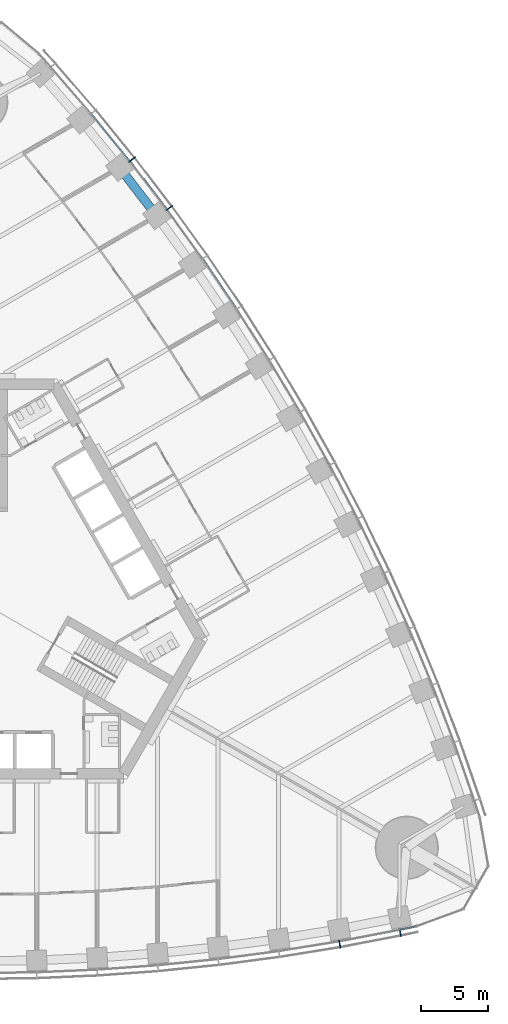
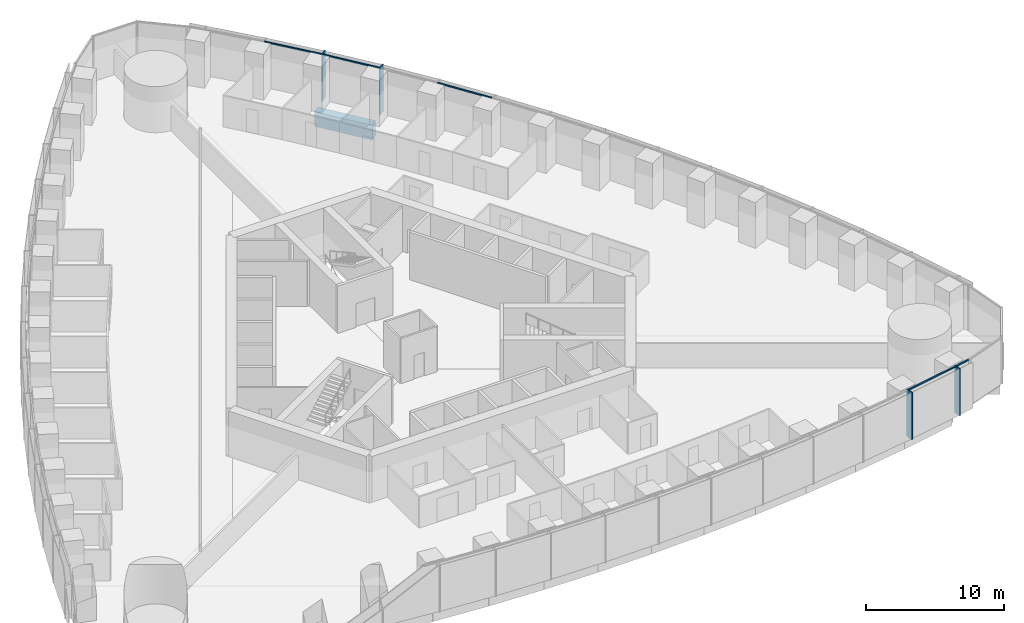
# One storey, part 5 of 18: 9 members, 1 beam, 2 elements without a shape of their own.
"""IFC4 building model written with IfcOpenShell, lengths in metres."""

from ifc_helpers import new_model, si_unit, direction, frame, origin, origin_2d, place, context, subcontext, project, spatial, rectangle, extrude, material, material_profile, profile_set, type_object, element, aggregate, save


model = new_model("IFC4")

# Units and contexts
model_context = context("Model", 3, precision=1e-05, world=origin(), true_north=direction((0.0, 1.0)))
body_context = subcontext(model_context, "Body", "Model", "MODEL_VIEW")
ifc_project = project(units=[si_unit("LENGTHUNIT", "METRE"), si_unit("AREAUNIT", "SQUARE_METRE"), si_unit("VOLUMEUNIT", "CUBIC_METRE"), si_unit("PLANEANGLEUNIT", "RADIAN"), si_unit("MASSUNIT", "GRAM", prefix="KILO")], contexts=[model_context])

# Site, building, storey
site_placement = place(None, origin())
site = spatial("IfcSite", under=ifc_project, at=site_placement, CompositionType="ELEMENT")
building_placement = place(site_placement, origin())
building = spatial("IfcBuilding", under=site, at=building_placement, Name="Trefoil Bronze Tower", CompositionType="ELEMENT")
storey_placement = place(building_placement, frame((0.0, 0.0, 24.89990234375)))
storey = spatial("IfcBuildingStorey", under=building, at=storey_placement, Name="L05", CompositionType="ELEMENT", Elevation=24.89990234375)

# Curtain wall, members
ifc_material_1 = material(Name="Tinted solar-control glass", Category="glass")
curtain_wall_type = type_object("IfcCurtainWallType", Name="Bronze office curtain wall", PredefinedType="USERDEFINED", material=ifc_material_1)
curtain_wall_1_placement = place(storey_placement, origin())
curtain_wall_1 = element("IfcCurtainWall", 1, at=curtain_wall_1_placement, inside=storey, type_object=curtain_wall_type, Name="CW-A L05 F1", ObjectType="CURTAIN WALL", PredefinedType="USERDEFINED")
ifc_material_2 = material(Name="Bronze-finish aluminium", Category="aluminium")
ifc_material_profile_1 = material_profile(ifc_material_2, rectangle(XDim=0.60009765625, YDim=0.080078125, at=origin_2d()), Name="CW-A mullion")
ifc_profile_set_1 = profile_set([ifc_material_profile_1], Name="Bronze-finish aluminium")
member_type_1 = type_object("IfcMemberType", Name="Bronze office curtain wall mullion", PredefinedType="MULLION", material=ifc_profile_set_1)
member_1_placement = place(storey_placement, frame((27.05224609375, -25.67578125, 0.0), z_axis=(0.0, 0.0, 1.0), x_axis=(-0.174131146426, 0.984722470468, 0.0)))
member_1 = element("IfcMember", 2, at=member_1_placement, type_object=member_type_1, Name="CW-A L05 F1 mullion 15", PredefinedType="MULLION", context=body_context, shape_type="SweptSolid", body=[
    extrude(rectangle(XDim=0.60009765625, YDim=0.080078125, at=origin_2d()), origin(), (0.0, 0.0, 1.0), 4.18017578125),
])
member_2_placement = place(storey_placement, frame((31.559326171875, -24.81005859375, 0.0), z_axis=(0.0, 0.0, 1.0), x_axis=(-0.197910006829, 0.98022019424, 0.0)))
member_2 = element("IfcMember", 3, at=member_2_placement, type_object=member_type_1, Name="CW-A L05 F1 mullion 16", PredefinedType="MULLION", context=body_context, shape_type="SweptSolid", body=[
    extrude(rectangle(XDim=0.60009765625, YDim=0.080078125, at=origin_2d()), origin(), (0.0, 0.0, 1.0), 4.18017578125),
])

curtain_wall_2_placement = place(storey_placement, origin())
curtain_wall_2 = element("IfcCurtainWall", 4, at=curtain_wall_2_placement, inside=storey, type_object=curtain_wall_type, Name="CW-A L05 F2", ObjectType="CURTAIN WALL", PredefinedType="USERDEFINED")
member_3_placement = place(storey_placement, frame((14.364013671875, 29.117919921875, 0.0), z_axis=(0.0, 0.0, 1.0), x_axis=(-0.802126748469, -0.59715381552, 0.0)))
member_3 = element("IfcMember", 5, at=member_3_placement, type_object=member_type_1, Name="CW-A L05 F2 mullion 13", PredefinedType="MULLION", context=body_context, shape_type="SweptSolid", body=[
    extrude(rectangle(XDim=0.60009765625, YDim=0.080078125, at=origin_2d()), origin(), (0.0, 0.0, 1.0), 4.18017578125),
])
member_4_placement = place(storey_placement, frame((11.595458984375, 32.7255859375, 0.0), z_axis=(0.0, 0.0, 1.0), x_axis=(-0.784304615744, -0.620375910011, 0.0)))
member_4 = element("IfcMember", 6, at=member_4_placement, type_object=member_type_1, Name="CW-A L05 F2 mullion 14", PredefinedType="MULLION", context=body_context, shape_type="SweptSolid", body=[
    extrude(rectangle(XDim=0.60009765625, YDim=0.080078125, at=origin_2d()), origin(), (0.0, 0.0, 1.0), 4.18017578125),
])

# Member
ifc_material_3 = material(Name="Bronze-finish aluminium", Category="aluminium")
ifc_material_profile_2 = material_profile(ifc_material_3, rectangle(XDim=0.1201171875, YDim=0.10009765625, at=origin_2d()), Name="CW-A transom")
ifc_profile_set_2 = profile_set([ifc_material_profile_2], Name="Bronze-finish aluminium")
member_type_2 = type_object("IfcMemberType", Name="Bronze office curtain wall transom", PredefinedType="USERDEFINED", material=ifc_profile_set_2)
member_5_placement = place(storey_placement, frame((27.05810546875, -25.470947265625, 4.130126953125), z_axis=(0.982053603997, 0.188602011855, 0.0), x_axis=(-0.188602011855, 0.982053603997, 0.0)))
member_5 = element("IfcMember", 7, at=member_5_placement, type_object=member_type_2, Name="CW-A L05 F1 transom 15", ObjectType="TRANSOM", PredefinedType="USERDEFINED", context=body_context, shape_type="SweptSolid", body=[
    extrude(rectangle(XDim=0.1201171875, YDim=0.10009765625, at=origin_2d()), origin(), (0.0, 0.0, 1.0), 4.502197265625),
])

member_6_placement = place(storey_placement, frame((31.559814453125, -24.605712890625, 4.130126953125), z_axis=(0.978266371807, 0.207352129942, 0.0), x_axis=(-0.207352129942, 0.978266371807, 0.0)))
member_6 = element("IfcMember", 8, at=member_6_placement, type_object=member_type_2, Name="CW-A L05 F1 transom 16", ObjectType="TRANSOM", PredefinedType="USERDEFINED", context=body_context, shape_type="SweptSolid", body=[
    extrude(rectangle(XDim=0.1201171875, YDim=0.10009765625, at=origin_2d()), origin(), (0.0, 0.0, 1.0), 1.21044921875),
])

aggregate(curtain_wall_1, [member_1, member_2, member_5, member_6])

member_7_placement = place(storey_placement, frame((19.364990234375, 21.627197265625, 4.130126953125), z_axis=(-0.561508153923, 0.827471203775, 0.0), x_axis=(-0.827471203775, -0.561508153923, 0.0)))
member_7 = element("IfcMember", 9, at=member_7_placement, type_object=member_type_2, Name="CW-A L05 F2 transom 11", ObjectType="TRANSOM", PredefinedType="USERDEFINED", context=body_context, shape_type="SweptSolid", body=[
    extrude(rectangle(XDim=0.1201171875, YDim=0.10009765625, at=origin_2d()), origin(), (0.0, 0.0, 1.0), 4.431884765625),
])

member_8_placement = place(storey_placement, frame((14.178466796875, 29.031494140625, 4.130126953125), z_axis=(-0.608829203216, 0.793301330713, 0.0), x_axis=(-0.793301330713, -0.608829203216, 0.0)))
member_8 = element("IfcMember", 10, at=member_8_placement, type_object=member_type_2, Name="CW-A L05 F2 transom 13", ObjectType="TRANSOM", PredefinedType="USERDEFINED", context=body_context, shape_type="SweptSolid", body=[
    extrude(rectangle(XDim=0.1201171875, YDim=0.10009765625, at=origin_2d()), origin(), (0.0, 0.0, 1.0), 4.458740234375),
])

member_9_placement = place(storey_placement, frame((11.412353515625, 32.6337890625, 4.130126953125), z_axis=(-0.631835540201, 0.775102477185, 0.0), x_axis=(-0.775102477185, -0.631835540201, 0.0)))
member_9 = element("IfcMember", 11, at=member_9_placement, type_object=member_type_2, Name="CW-A L05 F2 transom 14", ObjectType="TRANSOM", PredefinedType="USERDEFINED", context=body_context, shape_type="SweptSolid", body=[
    extrude(rectangle(XDim=0.1201171875, YDim=0.10009765625, at=origin_2d()), origin(), (0.0, 0.0, 1.0), 4.478271484375),
])

aggregate(curtain_wall_2, [member_3, member_4, member_7, member_8, member_9])

# Beam
ifc_material_4 = material(Name="Concrete B80", Category="concrete")
ifc_material_profile_3 = material_profile(ifc_material_4, rectangle(XDim=0.64990234375, YDim=1.300048828125, at=origin_2d()), Name="RC 650x1300")
ifc_profile_set_3 = profile_set([ifc_material_profile_3], Name="Concrete B80")
beam_type = type_object("IfcBeamType", Name="Spandrel beam RC 650x1300", PredefinedType="SPANDREL", material=ifc_profile_set_3)
beam_placement = place(storey_placement, frame((13.42578125, 28.5361328125, -0.849853515625), z_axis=(-0.609338992146, 0.792909826305, 0.0), x_axis=(-0.792909826305, -0.609338992146, 0.0)))
element("IfcBeam", 12, at=beam_placement, inside=storey, type_object=beam_type, Name="Spandrel F2.13 L05", PredefinedType="SPANDREL", context=body_context, shape_type="SweptSolid", body=[
    extrude(rectangle(XDim=0.64990234375, YDim=1.300048828125, at=origin_2d()), origin(), (0.0, 0.0, 1.0), 4.5390625),
])

save(model, "model.ifc")
